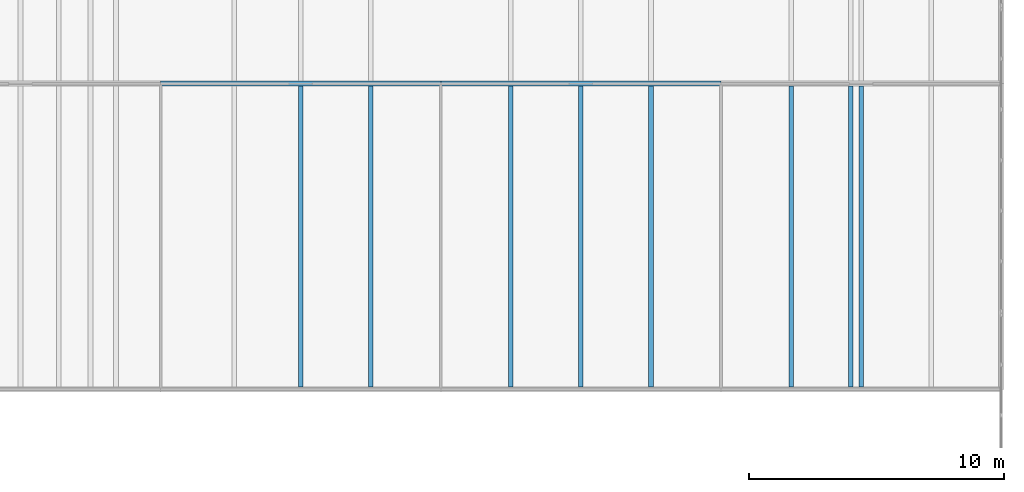
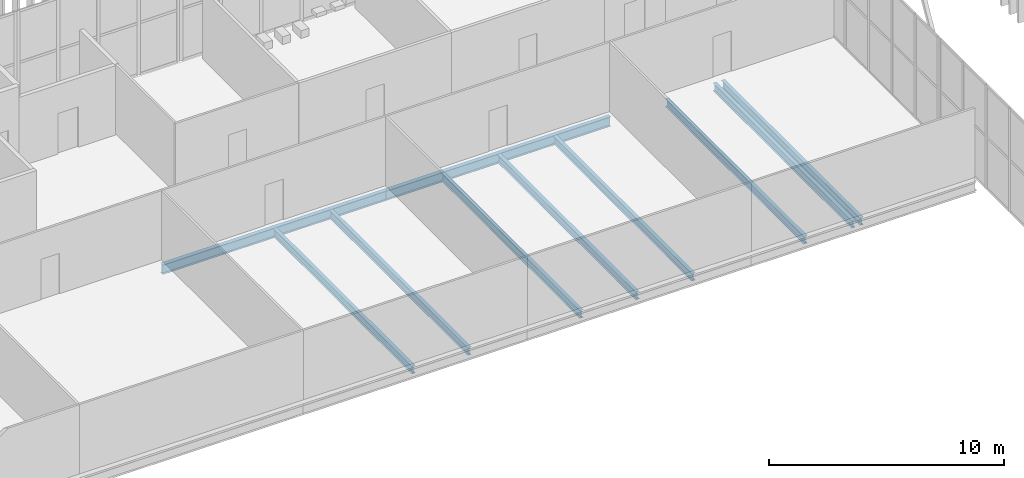
# One storey, part 72 of 170: 10 beams.
"""IFC4 building model written with IfcOpenShell, lengths in metres."""

from ifc_helpers import new_model, si_unit, direction, frame, origin, origin_2d, place, context, subcontext, project, spatial, i_section, extrude, material, material_profile, profile_set, type_object, element, save


model = new_model("IFC4")

# Units and contexts
model_context = context("Model", 3, precision=1e-05, world=origin(), true_north=direction((0.0, 1.0)))
body_context = subcontext(model_context, "Body", "Model", "MODEL_VIEW")
ifc_project = project(units=[si_unit("LENGTHUNIT", "METRE"), si_unit("AREAUNIT", "SQUARE_METRE"), si_unit("VOLUMEUNIT", "CUBIC_METRE"), si_unit("PLANEANGLEUNIT", "RADIAN"), si_unit("MASSUNIT", "GRAM", prefix="KILO")], contexts=[model_context])

# Site, building, storey
site_placement = place(None, origin())
site = spatial("IfcSite", under=ifc_project, at=site_placement, CompositionType="ELEMENT")
building_placement = place(site_placement, origin())
building = spatial("IfcBuilding", under=site, at=building_placement, Name="Ravi Spectrum Wholesale Market", CompositionType="ELEMENT")
storey_placement = place(building_placement, frame((0.0, 0.0, 5.39990234375)))
storey = spatial("IfcBuildingStorey", under=building, at=storey_placement, Name="L01", CompositionType="ELEMENT", Elevation=5.39990234375)

# Beams
ifc_material_1 = material(Name="Steel S355", Category="steel")
ifc_material_profile_1 = material_profile(ifc_material_1, i_section(OverallWidth=0.179931640625, OverallDepth=0.39990234375, WebThickness=0.008544921875, FlangeThickness=0.013427734375, at=origin_2d()))
ifc_profile_set_1 = profile_set([ifc_material_profile_1], Name="Steel S355")
beam_type_1 = type_object("IfcBeamType", Name="IPE 400 beam", PredefinedType="BEAM", material=ifc_profile_set_1)
for number, where, z_axis, x_axis, name in (
    (1, (75.5, 171.10009765625, -0.449951171875), (0.0, 1.0, 0.0), (-1.0, 0.0, 0.0), "H1-BM-L01-051"),
    (2, (78.25, 171.10009765625, -0.449951171875), (0.0, 1.0, 0.0), (-1.0, 0.0, 0.0), "H1-BM-L01-053"),
    (3, (83.75, 171.10009765625, -0.449951171875), (0.0, 1.0, 0.0), (-1.0, 0.0, 0.0), "H1-BM-L01-055"),
    (4, (86.5, 171.10009765625, -0.449951171875), (0.0, 1.0, 0.0), (-1.0, 0.0, 0.0), "H1-BM-L01-057"),
    (5, (89.25, 171.10009765625, -0.449951171875), (0.0, 1.0, 0.0), (-1.0, 0.0, 0.0), "H1-BM-L01-059"),
    (6, (94.75, 171.10009765625, -0.449951171875), (0.0, 1.0, 0.0), (-1.0, 0.0, 0.0), "H1-BM-L01-061"),
    (7, (97.10009765625, 171.10009765625, -0.449951171875), (0.0, 1.0, 0.0), (-1.0, 0.0, 0.0), "H1-BM-L01-063"),
    (8, (97.5, 171.10009765625, -0.449951171875), (0.0, 1.0, 0.0), (-1.0, 0.0, 0.0), "H1-BM-L01-065"),
):
    element("IfcBeam", number, at=place(storey_placement, frame(where, z_axis=z_axis, x_axis=x_axis)), inside=storey, type_object=beam_type_1, Name=name, PredefinedType="BEAM", context=body_context, shape_type="SweptSolid", body=[
        extrude(i_section(OverallWidth=0.179931640625, OverallDepth=0.39990234375, WebThickness=0.008544921875, FlangeThickness=0.013427734375, at=origin_2d()), origin(), (0.0, 0.0, 1.0), 11.7998046875),
    ])
ifc_material_2 = material(Name="Steel S355", Category="steel")
ifc_material_profile_2 = material_profile(ifc_material_2, i_section(OverallWidth=0.199951171875, OverallDepth=0.5, WebThickness=0.01025390625, FlangeThickness=0.01611328125, at=origin_2d()))
ifc_profile_set_2 = profile_set([ifc_material_profile_2], Name="Steel S355")
beam_type_2 = type_object("IfcBeamType", Name="IPE 500 girder", PredefinedType="BEAM", material=ifc_profile_set_2)
for number, where, z_axis, x_axis, name in (
    (9, (70.0, 183.0, -0.5), (1.0, 0.0, 0.0), (0.0, 1.0, 0.0), "H1-BM-L01-010"),
    (10, (81.0, 183.0, -0.5), (1.0, 0.0, 0.0), (0.0, 1.0, 0.0), "H1-BM-L01-011"),
):
    element("IfcBeam", number, at=place(storey_placement, frame(where, z_axis=z_axis, x_axis=x_axis)), inside=storey, type_object=beam_type_2, Name=name, PredefinedType="BEAM", context=body_context, shape_type="SweptSolid", body=[
        extrude(i_section(OverallWidth=0.199951171875, OverallDepth=0.5, WebThickness=0.01025390625, FlangeThickness=0.01611328125, at=origin_2d()), origin(), (0.0, 0.0, 1.0), 11.0),
    ])

save(model, "model.ifc")
